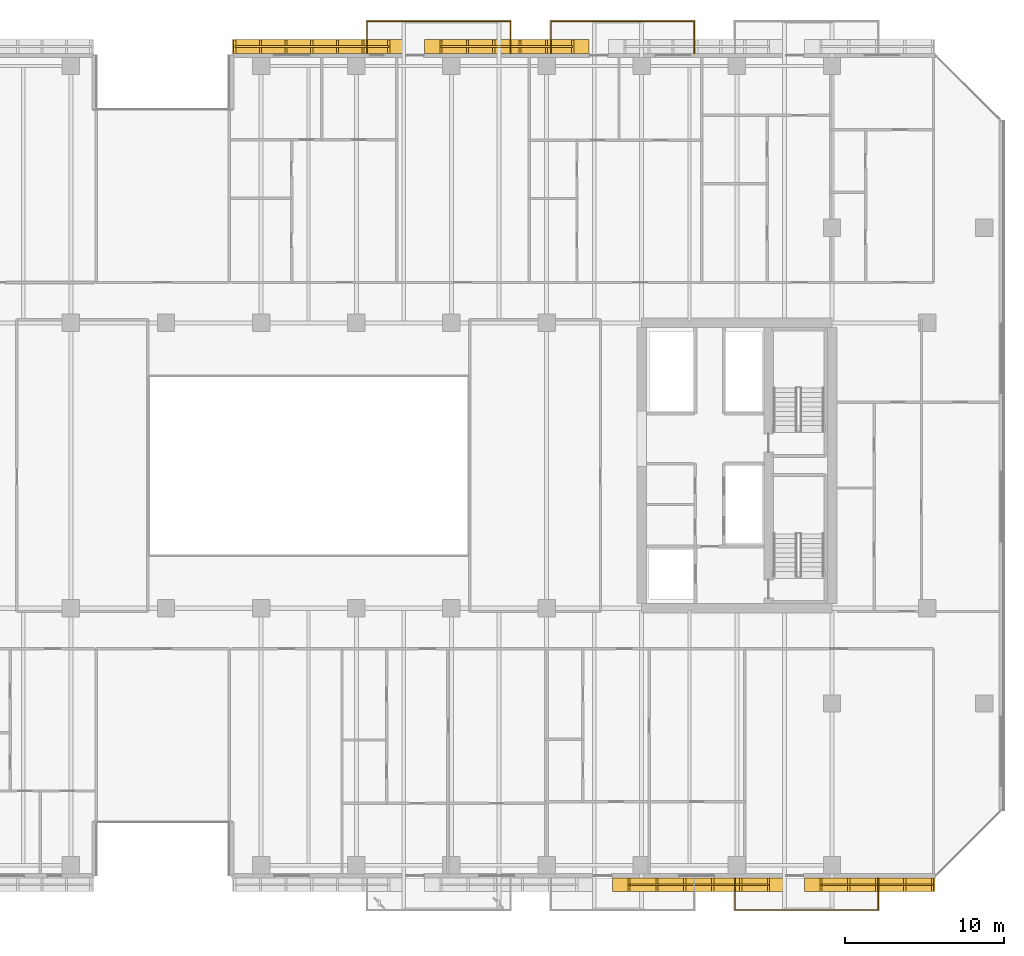
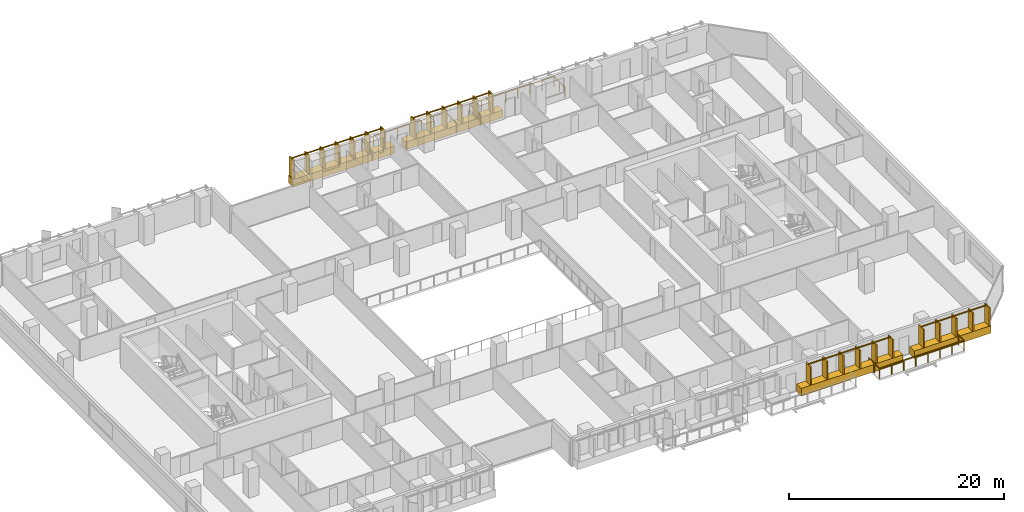
# One storey, part 31 of 34: 7 railings, 4 coverings.
"""IFC4 building model written with IfcOpenShell, lengths in metres."""

from ifc_helpers import new_model, si_unit, direction, frame, origin, origin_2d, place, context, subcontext, project, spatial, rectangle, extrude, material, layer, layer_set, type_object, element, save


model = new_model("IFC4")

# Units and contexts
model_context = context("Model", 3, precision=1e-05, world=origin(), true_north=direction((0.0, 1.0)))
body_context = subcontext(model_context, "Body", "Model", "MODEL_VIEW")
ifc_project = project(units=[si_unit("LENGTHUNIT", "METRE"), si_unit("AREAUNIT", "SQUARE_METRE"), si_unit("VOLUMEUNIT", "CUBIC_METRE"), si_unit("PLANEANGLEUNIT", "RADIAN"), si_unit("MASSUNIT", "GRAM", prefix="KILO")], contexts=[model_context])

# Site, building, storey
site_placement = place(None, origin())
site = spatial("IfcSite", under=ifc_project, at=site_placement, CompositionType="ELEMENT")
building_placement = place(site_placement, origin())
building = spatial("IfcBuilding", under=site, at=building_placement, Name="Tanjung Sevakor Pilgrim Tower", CompositionType="ELEMENT")
storey_placement = place(building_placement, frame((0.0, 0.0, 55.43994140625)))
storey = spatial("IfcBuildingStorey", under=building, at=storey_placement, Name="L15", CompositionType="ELEMENT", Elevation=55.43994140625)

# Coverings
ifc_material_1 = material(Name="Reconstructed Limestone Cladding", Category="masonry")
ifc_layer = layer(ifc_material_1, 0.044921875)
ifc_layer_set = layer_set([ifc_layer], Name="COV-CLAD-LIMESTONE")
covering_type = type_object("IfcCoveringType", Name="COV-CLAD-LIMESTONE", PredefinedType="CLADDING", material=ifc_layer_set)
covering_1_placement = place(storey_placement, frame((81.60009765625, 7.169921875, 0.01025390625), z_axis=(0.0, 0.0, 1.0), x_axis=(1.0, 0.0, 0.0)))
element("IfcCovering", 1, at=covering_1_placement, inside=storey, type_object=covering_type, Name="L15 Warm Limestone Sill Spandrel EW-L15-MAIN-5-3", PredefinedType="CLADDING", context=body_context, shape_type="SweptSolid", body=[
    extrude(rectangle(XDim=10.8798828125, YDim=0.860107421875, at=origin_2d()), origin(), (0.0, 0.0, 1.0), 0.840087890625),
])
covering_2_placement = place(storey_placement, frame((92.381103515625, 7.169921875, 0.01025390625), z_axis=(0.0, 0.0, 1.0), x_axis=(1.0, 0.0, 0.0)))
element("IfcCovering", 2, at=covering_2_placement, inside=storey, type_object=covering_type, Name="L15 Warm Limestone Sill Spandrel EW-L15-MAIN-5-4", PredefinedType="CLADDING", context=body_context, shape_type="SweptSolid", body=[
    extrude(rectangle(XDim=8.241943359375, YDim=0.860107421875, at=origin_2d()), origin(), (0.0, 0.0, 1.0), 0.840087890625),
])
covering_3_placement = place(storey_placement, frame((69.5, 60.030029296875, 0.01025390625), z_axis=(0.0, 0.0, 1.0), x_axis=(-1.0, 0.0, 0.0)))
element("IfcCovering", 3, at=covering_3_placement, inside=storey, type_object=covering_type, Name="L15 Warm Limestone Sill Spandrel EW-L15-MAIN-9-3", PredefinedType="CLADDING", context=body_context, shape_type="SweptSolid", body=[
    extrude(rectangle(XDim=10.3798828125, YDim=0.860107421875, at=origin_2d()), origin(), (0.0, 0.0, 1.0), 0.840087890625),
])
covering_4_placement = place(storey_placement, frame((57.635009765625, 60.030029296875, 0.01025390625), z_axis=(0.0, 0.0, 1.0), x_axis=(-1.0, 0.0, 0.0)))
element("IfcCovering", 4, at=covering_4_placement, inside=storey, type_object=covering_type, Name="L15 Warm Limestone Sill Spandrel EW-L15-MAIN-9-4", PredefinedType="CLADDING", context=body_context, shape_type="SweptSolid", body=[
    extrude(rectangle(XDim=10.909912109375, YDim=0.860107421875, at=origin_2d()), origin(), (0.0, 0.0, 1.0), 0.840087890625),
])

# Railings
ifc_material_2 = material(Name="Laminated Glass and Aluminium", Category="aluminium")
railing_type_1 = type_object("IfcRailingType", Name="RL-BAL-BALUST", PredefinedType="BALUSTRADE", material=ifc_material_2)
railing_1_placement = place(storey_placement, frame((60.679931640625, 59.60009765625, 0.0)))
element("IfcRailing", 5, at=railing_1_placement, inside=storey, type_object=railing_type_1, Name="L15 Loggia Balustrade MAIN-N2", PredefinedType="BALUSTRADE", context=body_context, shape_type="SweptSolid", body=[
    extrude(rectangle(XDim=0.0479, YDim=0.0479), frame((0.0, 0.0, 1.1259765625), z_axis=(0.0, 1.0, 0.0), x_axis=(-1.0, 0.0, 0.0)), (0.0, 0.0, 1.0), 2.02001953125),
    extrude(rectangle(XDim=0.0479, YDim=0.0479), frame((0.0, 2.02001953125, 1.1259765625), z_axis=(1.0, 0.0, 0.0), x_axis=(0.0, 1.0, 0.0)), (0.0, 0.0, 1.0), 9.0400390625),
    extrude(rectangle(XDim=0.0479, YDim=0.0479), frame((9.0400390625, 2.02001953125, 1.1259765625), z_axis=(0.0, -1.0, 0.0), x_axis=(1.0, 0.0, 0.0)), (0.0, 0.0, 1.0), 2.02001953125),
    extrude(rectangle(XDim=0.042, YDim=0.042), origin(), (0.0, 0.0, 1.0), 1.101806640625),
    extrude(rectangle(XDim=0.042, YDim=0.042), frame((0.0, 1.010009765625, 0.0)), (0.0, 0.0, 1.0), 1.101806640625),
    extrude(rectangle(XDim=0.042, YDim=0.042), frame((0.0, 2.02001953125, 0.0)), (0.0, 0.0, 1.0), 1.101806640625),
    extrude(rectangle(XDim=0.042, YDim=0.042), frame((1.29150390625, 2.02001953125, 0.0)), (0.0, 0.0, 1.0), 1.101806640625),
    extrude(rectangle(XDim=0.042, YDim=0.042), frame((2.582763671875, 2.02001953125, 0.0)), (0.0, 0.0, 1.0), 1.101806640625),
    extrude(rectangle(XDim=0.042, YDim=0.042), frame((3.874267578125, 2.02001953125, 0.0)), (0.0, 0.0, 1.0), 1.101806640625),
    extrude(rectangle(XDim=0.042, YDim=0.042), frame((5.165771484375, 2.02001953125, 0.0)), (0.0, 0.0, 1.0), 1.101806640625),
    extrude(rectangle(XDim=0.042, YDim=0.042), frame((6.457275390625, 2.02001953125, 0.0)), (0.0, 0.0, 1.0), 1.101806640625),
    extrude(rectangle(XDim=0.042, YDim=0.042), frame((7.74853515625, 2.02001953125, 0.0)), (0.0, 0.0, 1.0), 1.101806640625),
    extrude(rectangle(XDim=0.042, YDim=0.042), frame((9.0400390625, 2.02001953125, 0.0)), (0.0, 0.0, 1.0), 1.101806640625),
    extrude(rectangle(XDim=0.042, YDim=0.042), frame((9.0400390625, 1.010009765625, 0.0)), (0.0, 0.0, 1.0), 1.101806640625),
    extrude(rectangle(XDim=0.042, YDim=0.042), frame((9.0400390625, 0.0, 0.0)), (0.0, 0.0, 1.0), 1.101806640625),
])
railing_2_placement = place(storey_placement, frame((72.280029296875, 59.60009765625, 0.0)))
element("IfcRailing", 6, at=railing_2_placement, inside=storey, type_object=railing_type_1, Name="L15 Loggia Balustrade MAIN-N3", PredefinedType="BALUSTRADE", context=body_context, shape_type="SweptSolid", body=[
    extrude(rectangle(XDim=0.0479, YDim=0.0479), frame((0.0, 0.0, 1.1259765625), z_axis=(0.0, 1.0, 0.0), x_axis=(-1.0, 0.0, 0.0)), (0.0, 0.0, 1.0), 2.02001953125),
    extrude(rectangle(XDim=0.0479, YDim=0.0479), frame((0.0, 2.02001953125, 1.1259765625), z_axis=(1.0, 0.0, 0.0), x_axis=(0.0, 1.0, 0.0)), (0.0, 0.0, 1.0), 9.0400390625),
    extrude(rectangle(XDim=0.0479, YDim=0.0479), frame((9.0400390625, 2.02001953125, 1.1259765625), z_axis=(0.0, -1.0, 0.0), x_axis=(1.0, 0.0, 0.0)), (0.0, 0.0, 1.0), 2.02001953125),
    extrude(rectangle(XDim=0.042, YDim=0.042), origin(), (0.0, 0.0, 1.0), 1.101806640625),
    extrude(rectangle(XDim=0.042, YDim=0.042), frame((0.0, 1.010009765625, 0.0)), (0.0, 0.0, 1.0), 1.101806640625),
    extrude(rectangle(XDim=0.042, YDim=0.042), frame((0.0, 2.02001953125, 0.0)), (0.0, 0.0, 1.0), 1.101806640625),
    extrude(rectangle(XDim=0.042, YDim=0.042), frame((1.29150390625, 2.02001953125, 0.0)), (0.0, 0.0, 1.0), 1.101806640625),
    extrude(rectangle(XDim=0.042, YDim=0.042), frame((2.582763671875, 2.02001953125, 0.0)), (0.0, 0.0, 1.0), 1.101806640625),
    extrude(rectangle(XDim=0.042, YDim=0.042), frame((3.874267578125, 2.02001953125, 0.0)), (0.0, 0.0, 1.0), 1.101806640625),
    extrude(rectangle(XDim=0.042, YDim=0.042), frame((5.165771484375, 2.02001953125, 0.0)), (0.0, 0.0, 1.0), 1.101806640625),
    extrude(rectangle(XDim=0.042, YDim=0.042), frame((6.457275390625, 2.02001953125, 0.0)), (0.0, 0.0, 1.0), 1.101806640625),
    extrude(rectangle(XDim=0.042, YDim=0.042), frame((7.74853515625, 2.02001953125, 0.0)), (0.0, 0.0, 1.0), 1.101806640625),
    extrude(rectangle(XDim=0.042, YDim=0.042), frame((9.0400390625, 2.02001953125, 0.0)), (0.0, 0.0, 1.0), 1.101806640625),
    extrude(rectangle(XDim=0.042, YDim=0.042), frame((9.0400390625, 1.010009765625, 0.0)), (0.0, 0.0, 1.0), 1.101806640625),
    extrude(rectangle(XDim=0.042, YDim=0.042), frame((9.0400390625, 0.0, 0.0)), (0.0, 0.0, 1.0), 1.101806640625),
])
railing_3_placement = place(storey_placement, frame((83.8798828125, 7.60009765625, 0.0)))
element("IfcRailing", 7, at=railing_3_placement, inside=storey, type_object=railing_type_1, Name="L15 Loggia Balustrade MAIN-S4", PredefinedType="BALUSTRADE", context=body_context, shape_type="SweptSolid", body=[
    extrude(rectangle(XDim=0.0479, YDim=0.0479), frame((0.0, 0.0, 1.1259765625), z_axis=(0.0, -1.0, 0.0), x_axis=(1.0, 0.0, 0.0)), (0.0, 0.0, 1.0), 2.02001953125),
    extrude(rectangle(XDim=0.0479, YDim=0.0479), frame((0.0, -2.02001953125, 1.1259765625), z_axis=(1.0, 0.0, 0.0), x_axis=(0.0, 1.0, 0.0)), (0.0, 0.0, 1.0), 9.0400390625),
    extrude(rectangle(XDim=0.0479, YDim=0.0479), frame((9.0400390625, -2.02001953125, 1.1259765625), z_axis=(0.0, 1.0, 0.0), x_axis=(-1.0, 0.0, 0.0)), (0.0, 0.0, 1.0), 2.02001953125),
    extrude(rectangle(XDim=0.042, YDim=0.042), origin(), (0.0, 0.0, 1.0), 1.101806640625),
    extrude(rectangle(XDim=0.042, YDim=0.042), frame((0.0, -1.010009765625, 0.0)), (0.0, 0.0, 1.0), 1.101806640625),
    extrude(rectangle(XDim=0.042, YDim=0.042), frame((0.0, -2.02001953125, 0.0)), (0.0, 0.0, 1.0), 1.101806640625),
    extrude(rectangle(XDim=0.042, YDim=0.042), frame((1.29150390625, -2.02001953125, 0.0)), (0.0, 0.0, 1.0), 1.101806640625),
    extrude(rectangle(XDim=0.042, YDim=0.042), frame((2.582763671875, -2.02001953125, 0.0)), (0.0, 0.0, 1.0), 1.101806640625),
    extrude(rectangle(XDim=0.042, YDim=0.042), frame((3.874267578125, -2.02001953125, 0.0)), (0.0, 0.0, 1.0), 1.101806640625),
    extrude(rectangle(XDim=0.042, YDim=0.042), frame((5.165771484375, -2.02001953125, 0.0)), (0.0, 0.0, 1.0), 1.101806640625),
    extrude(rectangle(XDim=0.042, YDim=0.042), frame((6.457275390625, -2.02001953125, 0.0)), (0.0, 0.0, 1.0), 1.101806640625),
    extrude(rectangle(XDim=0.042, YDim=0.042), frame((7.74853515625, -2.02001953125, 0.0)), (0.0, 0.0, 1.0), 1.101806640625),
    extrude(rectangle(XDim=0.042, YDim=0.042), frame((9.0400390625, -2.02001953125, 0.0)), (0.0, 0.0, 1.0), 1.101806640625),
    extrude(rectangle(XDim=0.042, YDim=0.042), frame((9.0400390625, -1.010009765625, 0.0)), (0.0, 0.0, 1.0), 1.101806640625),
    extrude(rectangle(XDim=0.042, YDim=0.042), frame((9.0400390625, 0.0, 0.0)), (0.0, 0.0, 1.0), 1.101806640625),
])
ifc_material_3 = material(Name="Anodised Bronze Aluminium 6063-T6", Category="aluminium")
railing_type_2 = type_object("IfcRailingType", Name="RL-FIN-SCREEN", PredefinedType="BALUSTRADE", material=ifc_material_3)
railing_4_placement = place(storey_placement, frame((77.199951171875, 7.175048828125, 0.840087890625)))
element("IfcRailing", 8, at=railing_4_placement, inside=storey, type_object=railing_type_2, Name="L15 Vertical Bronze-Gold Solar Fin Screen FNSCR-EW-L15-MAIN-5-3", PredefinedType="BALUSTRADE", context=body_context, shape_type="SweptSolid", body=[
    extrude(rectangle(XDim=0.105, YDim=0.105), frame((0.0, 0.0, 2.157470703125), z_axis=(1.0, 0.0, 0.0), x_axis=(0.0, 1.0, 0.0)), (0.0, 0.0, 1.0), 8.800048828125),
    extrude(rectangle(XDim=0.14, YDim=0.85), origin(), (0.0, 0.0, 1.0), 2.10498046875),
    extrude(rectangle(XDim=0.14, YDim=0.85), frame((1.760009765625, 0.0, 0.0)), (0.0, 0.0, 1.0), 2.10498046875),
    extrude(rectangle(XDim=0.14, YDim=0.85), frame((3.52001953125, 0.0, 0.0)), (0.0, 0.0, 1.0), 2.10498046875),
    extrude(rectangle(XDim=0.14, YDim=0.85), frame((5.280029296875, 0.0, 0.0)), (0.0, 0.0, 1.0), 2.10498046875),
    extrude(rectangle(XDim=0.14, YDim=0.85), frame((7.0400390625, 0.0, 0.0)), (0.0, 0.0, 1.0), 2.10498046875),
    extrude(rectangle(XDim=0.14, YDim=0.85), frame((8.800048828125, 0.0, 0.0)), (0.0, 0.0, 1.0), 2.10498046875),
])
railing_5_placement = place(storey_placement, frame((89.300048828125, 7.175048828125, 0.840087890625)))
element("IfcRailing", 9, at=railing_5_placement, inside=storey, type_object=railing_type_2, Name="L15 Vertical Bronze-Gold Solar Fin Screen FNSCR-EW-L15-MAIN-5-4", PredefinedType="BALUSTRADE", context=body_context, shape_type="SweptSolid", body=[
    extrude(rectangle(XDim=0.105, YDim=0.105), frame((0.0, 0.0, 2.157470703125), z_axis=(1.0, 0.0, 0.0), x_axis=(0.0, 1.0, 0.0)), (0.0, 0.0, 1.0), 7.0419921875),
    extrude(rectangle(XDim=0.14, YDim=0.85), origin(), (0.0, 0.0, 1.0), 2.10498046875),
    extrude(rectangle(XDim=0.14, YDim=0.85), frame((1.760498046875, 0.0, 0.0)), (0.0, 0.0, 1.0), 2.10498046875),
    extrude(rectangle(XDim=0.14, YDim=0.85), frame((3.52099609375, 0.0, 0.0)), (0.0, 0.0, 1.0), 2.10498046875),
    extrude(rectangle(XDim=0.14, YDim=0.85), frame((5.281494140625, 0.0, 0.0)), (0.0, 0.0, 1.0), 2.10498046875),
    extrude(rectangle(XDim=0.14, YDim=0.85), frame((7.0419921875, 0.0, 0.0)), (0.0, 0.0, 1.0), 2.10498046875),
])
railing_6_placement = place(storey_placement, frame((73.64990234375, 60.02490234375, 0.840087890625)))
element("IfcRailing", 10, at=railing_6_placement, inside=storey, type_object=railing_type_2, Name="L15 Vertical Bronze-Gold Solar Fin Screen FNSCR-EW-L15-MAIN-9-3", PredefinedType="BALUSTRADE", context=body_context, shape_type="SweptSolid", body=[
    extrude(rectangle(XDim=0.105, YDim=0.105), frame((0.0, 0.0, 2.157470703125), z_axis=(-1.0, 0.0, 0.0), x_axis=(0.0, -1.0, 0.0)), (0.0, 0.0, 1.0), 8.2998046875),
    extrude(rectangle(XDim=0.14, YDim=0.85), origin(), (0.0, 0.0, 1.0), 2.10498046875),
    extrude(rectangle(XDim=0.14, YDim=0.85), frame((-1.659912109375, 0.0, 0.0)), (0.0, 0.0, 1.0), 2.10498046875),
    extrude(rectangle(XDim=0.14, YDim=0.85), frame((-3.31982421875, 0.0, 0.0)), (0.0, 0.0, 1.0), 2.10498046875),
    extrude(rectangle(XDim=0.14, YDim=0.85), frame((-4.97998046875, 0.0, 0.0)), (0.0, 0.0, 1.0), 2.10498046875),
    extrude(rectangle(XDim=0.14, YDim=0.85), frame((-6.639892578125, 0.0, 0.0)), (0.0, 0.0, 1.0), 2.10498046875),
    extrude(rectangle(XDim=0.14, YDim=0.85), frame((-8.2998046875, 0.0, 0.0)), (0.0, 0.0, 1.0), 2.10498046875),
])
railing_7_placement = place(storey_placement, frame((62.050048828125, 60.02490234375, 0.840087890625)))
element("IfcRailing", 11, at=railing_7_placement, inside=storey, type_object=railing_type_2, Name="L15 Vertical Bronze-Gold Solar Fin Screen FNSCR-EW-L15-MAIN-9-4", PredefinedType="BALUSTRADE", context=body_context, shape_type="SweptSolid", body=[
    extrude(rectangle(XDim=0.105, YDim=0.105), frame((0.0, 0.0, 2.157470703125), z_axis=(-1.0, 0.0, 0.0), x_axis=(0.0, -1.0, 0.0)), (0.0, 0.0, 1.0), 9.7099609375),
    extrude(rectangle(XDim=0.14, YDim=0.85), origin(), (0.0, 0.0, 1.0), 2.10498046875),
    extrude(rectangle(XDim=0.14, YDim=0.85), frame((-1.618408203125, 0.0, 0.0)), (0.0, 0.0, 1.0), 2.10498046875),
    extrude(rectangle(XDim=0.14, YDim=0.85), frame((-3.236572265625, 0.0, 0.0)), (0.0, 0.0, 1.0), 2.10498046875),
    extrude(rectangle(XDim=0.14, YDim=0.85), frame((-4.85498046875, 0.0, 0.0)), (0.0, 0.0, 1.0), 2.10498046875),
    extrude(rectangle(XDim=0.14, YDim=0.85), frame((-6.473388671875, 0.0, 0.0)), (0.0, 0.0, 1.0), 2.10498046875),
    extrude(rectangle(XDim=0.14, YDim=0.85), frame((-8.091552734375, 0.0, 0.0)), (0.0, 0.0, 1.0), 2.10498046875),
    extrude(rectangle(XDim=0.14, YDim=0.85), frame((-9.7099609375, 0.0, 0.0)), (0.0, 0.0, 1.0), 2.10498046875),
])

save(model, "model.ifc")
